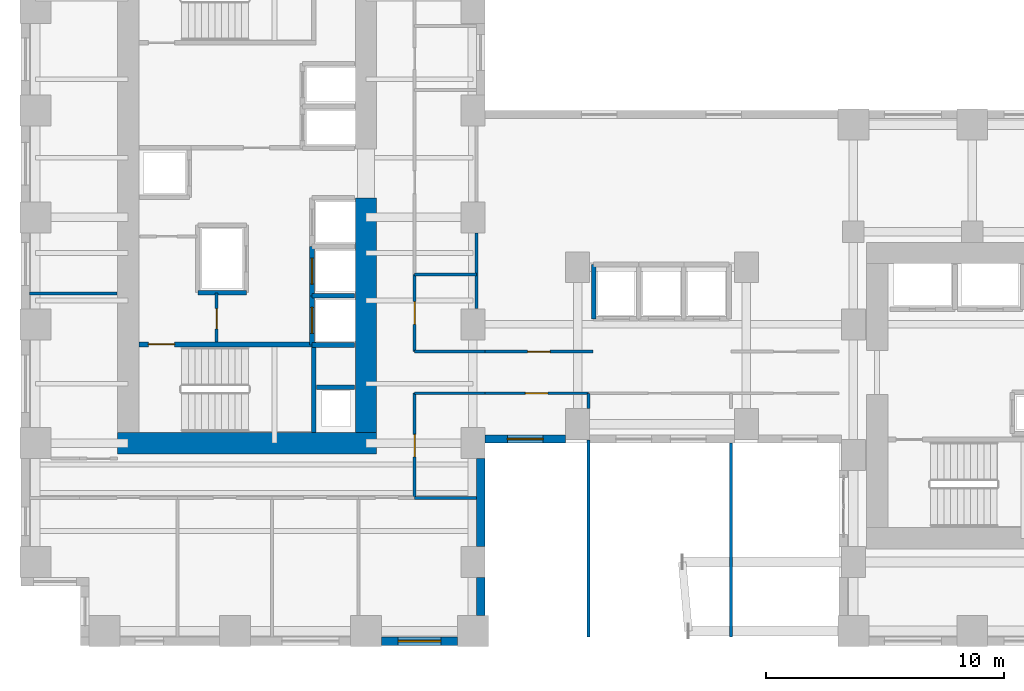
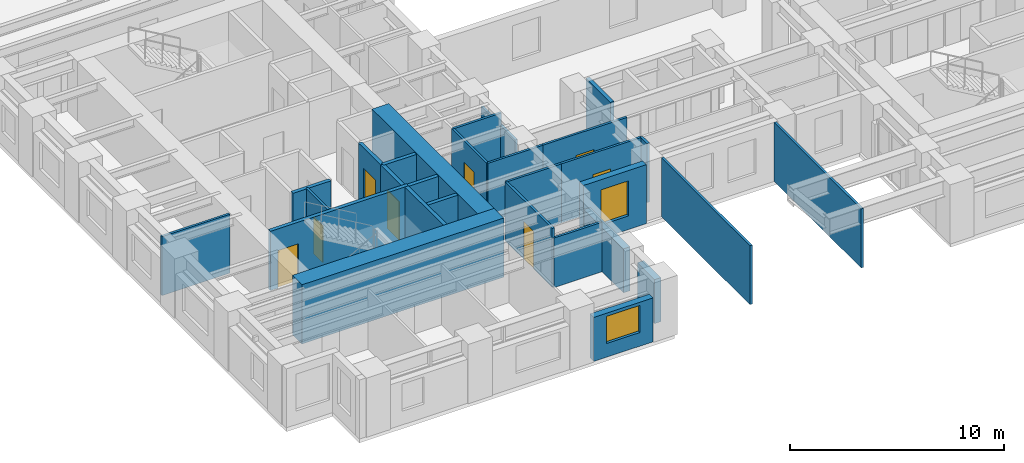
# One storey, part 7 of 14: 29 walls, 8 doors, 2 windows, 10 openings.
"""IFC4 building model written with IfcOpenShell, lengths in metres."""

from ifc_helpers import new_model, si_unit, direction, frame, frame_2d, origin, place, context, subcontext, project, spatial, rectangle, extrude, source, transform, mapped, material, layer, layer_set, type_object, element, fill, save


model = new_model("IFC4")

# Units and contexts
model_context = context("Model", 3, precision=1e-05, world=origin(), true_north=direction((0.0, 1.0)))
body_context = subcontext(model_context, "Body", "Model", "MODEL_VIEW")
ifc_project = project(units=[si_unit("LENGTHUNIT", "METRE"), si_unit("AREAUNIT", "SQUARE_METRE"), si_unit("VOLUMEUNIT", "CUBIC_METRE"), si_unit("PLANEANGLEUNIT", "RADIAN"), si_unit("MASSUNIT", "GRAM", prefix="KILO")], contexts=[model_context])

# Site, building, storey
site_placement = place(None, origin())
site = spatial("IfcSite", under=ifc_project, at=site_placement, CompositionType="ELEMENT")
building_placement = place(site_placement, origin())
building = spatial("IfcBuilding", under=site, at=building_placement, Name="Kharzan Plaza Tower", CompositionType="ELEMENT")
storey_placement = place(building_placement, frame((0.0, 0.0, 29.699951171875)))
storey = spatial("IfcBuildingStorey", under=building, at=storey_placement, Name="L07", CompositionType="ELEMENT", Elevation=29.699951171875)

# Wall, opening, window
ifc_material_1 = material(Name="Concrete C40/50", Category="concrete")
ifc_layer_1 = layer(ifc_material_1, 0.35009765625)
ifc_layer_set_1 = layer_set([ifc_layer_1], Name="Concrete C40/50")
wall_type_1 = type_object("IfcWallType", Name="WL-EXT-MAS-Z1", PredefinedType="SOLIDWALL", material=ifc_layer_set_1)
wall_1_placement = place(storey_placement, frame((15.14794921875, 0.175048828125, 0.0), z_axis=(0.0, 0.0, 1.0), x_axis=(1.0, 0.0, 0.0)))
wall_1 = element("IfcWall", 1, at=wall_1_placement, inside=storey, type_object=wall_type_1, Name="L07 Masonry-Frame Exterior Wall 25", PredefinedType="SOLIDWALL", context=body_context, shape_type="SweptSolid", body=[
    extrude(rectangle(XDim=3.2041015625, YDim=0.35009765625, at=frame_2d((1.60205078125, 0.0))), origin(), (0.0, 0.0, 1.0), 2.510009765625),
])
opening_1_placement = place(wall_1_placement, frame((0.701904296875, 0.0, 0.780029296875)))
opening_1 = element("IfcOpeningElement", 2, at=opening_1_placement, cuts=wall_1, Name="Opening W1", PredefinedType="OPENING", context=body_context, shape_type="SweptSolid", body=[
    extrude(rectangle(XDim=1.800048828125, YDim=1.550048828125, at=frame_2d((0.89990234375, 0.77490234375))), frame((0.0, 0.18505859375, 0.0), z_axis=(0.0, -1.0, 0.0), x_axis=(1.0, 0.0, 0.0)), (0.0, 0.0, 1.0), 0.3701171875),
])
ifc_material_2 = material(Name="Low-E Double Glazing", Category="glass")
window_type_1 = type_object("IfcWindowType", Name="WN-REC-1800x2100", PartitioningType="SINGLE_PANEL", PredefinedType="WINDOW", material=ifc_material_2)
shared_shape_1 = source(origin(), body_context, "Body", "SweptSolid", [
    extrude(rectangle(XDim=1.800048828125, YDim=1.550048828125, at=frame_2d((0.89990234375, 0.77490234375))), frame((0.0, 0.030029296875, 0.0), z_axis=(0.0, -1.0, 0.0), x_axis=(1.0, 0.0, 0.0)), (0.0, 0.0, 1.0), 0.06005859375),
])
window_1_placement = place(opening_1_placement, origin())
window_1 = element("IfcWindow", 3, at=window_1_placement, inside=storey, type_object=window_type_1, Name="L07 Recessed Solar-Control Window 25-1", OverallHeight=1.550048828125, OverallWidth=1.800048828125, PartitioningType="SINGLE_PANEL", PredefinedType="WINDOW", context=body_context, shape_type="MappedRepresentation", body=[
    mapped(shared_shape_1, transform((0.0, 0.0, 0.0), x_axis=(1.0, 0.0, 0.0), y_axis=(0.0, 1.0, 0.0), z_axis=(0.0, 0.0, 1.0))),
])
fill(opening_1, window_1)

wall_2_placement = place(storey_placement, frame((19.498046875, 8.675048828125, 0.0), z_axis=(0.0, 0.0, 1.0), x_axis=(1.0, 0.0, 0.0)))
wall_2 = element("IfcWall", 4, at=wall_2_placement, inside=storey, type_object=wall_type_1, Name="L07 Masonry-Frame Exterior Wall 28", PredefinedType="SOLIDWALL", context=body_context, shape_type="SweptSolid", body=[
    extrude(rectangle(XDim=3.404052734375, YDim=0.35009765625, at=frame_2d((1.7021484375, 0.0))), origin(), (0.0, 0.0, 1.0), 3.364990234375),
])
opening_2_placement = place(wall_2_placement, frame((0.951904296875, 0.0, 0.780029296875)))
opening_2 = element("IfcOpeningElement", 5, at=opening_2_placement, cuts=wall_2, Name="Opening W5", PredefinedType="OPENING", context=body_context, shape_type="SweptSolid", body=[
    extrude(rectangle(XDim=1.5, YDim=2.0, at=frame_2d((0.75, 1.0))), frame((0.0, 0.18505859375, 0.0), z_axis=(0.0, -1.0, 0.0), x_axis=(1.0, 0.0, 0.0)), (0.0, 0.0, 1.0), 0.3701171875),
])
window_type_2 = type_object("IfcWindowType", Name="WN-SLT-1500x2000", PartitioningType="SINGLE_PANEL", PredefinedType="WINDOW", material=ifc_material_2)
shared_shape_2 = source(origin(), body_context, "Body", "SweptSolid", [
    extrude(rectangle(XDim=1.5, YDim=2.0, at=frame_2d((0.75, 1.0))), frame((0.0, 0.030029296875, 0.0), z_axis=(0.0, -1.0, 0.0), x_axis=(1.0, 0.0, 0.0)), (0.0, 0.0, 1.0), 0.06005859375),
])
window_2_placement = place(opening_2_placement, origin())
window_2 = element("IfcWindow", 6, at=window_2_placement, inside=storey, type_object=window_type_2, Name="L07 Recessed Solar-Control Window 28-1", OverallHeight=2.0, OverallWidth=1.5, PartitioningType="SINGLE_PANEL", PredefinedType="WINDOW", context=body_context, shape_type="MappedRepresentation", body=[
    mapped(shared_shape_2, transform((0.0, 0.0, 0.0), x_axis=(1.0, 0.0, 0.0), y_axis=(0.0, 1.0, 0.0), z_axis=(0.0, 0.0, 1.0))),
])
fill(opening_2, window_2)

# Wall, opening, door
ifc_material_3 = material(Name="Fire-Rated Gypsum Board Partition", Category="gypsum")
ifc_layer_2 = layer(ifc_material_3, 0.125)
ifc_layer_set_2 = layer_set([ifc_layer_2], Name="Fire-Rated Gypsum Board Partition")
wall_type_2 = type_object("IfcWallType", Name="WL-INT-PART-125", PredefinedType="PARTITIONING", material=ifc_layer_set_2)
wall_3_placement = place(storey_placement, frame((8.219970703125, 12.75, 0.0), z_axis=(0.0, 0.0, 1.0), x_axis=(0.0, 1.0, 0.0)))
wall_3 = element("IfcWall", 7, at=wall_3_placement, inside=storey, type_object=wall_type_2, Name="L07 Interior Partition CA-K1E", PredefinedType="PARTITIONING", context=body_context, shape_type="SweptSolid", body=[
    extrude(rectangle(XDim=2.070068359375, YDim=0.125, at=frame_2d((1.03515625, 0.0))), origin(), (0.0, 0.0, 1.0), 3.364990234375),
])
opening_3_placement = place(wall_3_placement, frame((0.56005859375, 0.0, 0.0)))
opening_3 = element("IfcOpeningElement", 8, at=opening_3_placement, cuts=wall_3, Name="Opening RD1", PredefinedType="OPENING", context=body_context, shape_type="SweptSolid", body=[
    extrude(rectangle(XDim=0.85009765625, YDim=2.10009765625, at=frame_2d((0.425048828125, 1.050048828125))), frame((0.0, 0.072509765625, 0.0), z_axis=(0.0, -1.0, 0.0), x_axis=(1.0, 0.0, 0.0)), (0.0, 0.0, 1.0), 0.14501953125),
])
ifc_material_4 = material(Name="Powder-Coated Fire-Rated Steel", Category="steel")
door_type_1 = type_object("IfcDoorType", Name="DR-RISER-900", OperationType="NOTDEFINED", PredefinedType="DOOR", material=ifc_material_4)
shared_shape_3 = source(origin(), body_context, "Body", "SweptSolid", [
    extrude(rectangle(XDim=0.85009765625, YDim=2.10009765625, at=frame_2d((0.425048828125, 1.050048828125))), frame((0.0, 0.02490234375, 0.0), z_axis=(0.0, -1.0, 0.0), x_axis=(1.0, 0.0, 0.0)), (0.0, 0.0, 1.0), 0.050048828125),
])
door_1_placement = place(opening_3_placement, origin())
door_1 = element("IfcDoor", 9, at=door_1_placement, inside=storey, type_object=door_type_1, Name="L07 Core Service Store Door", OperationType="SINGLE_SWING_LEFT", OverallHeight=2.10009765625, OverallWidth=0.85009765625, PredefinedType="DOOR", context=body_context, shape_type="MappedRepresentation", body=[
    mapped(shared_shape_3, transform((0.0, 0.0, 0.0), x_axis=(1.0, 0.0, 0.0), y_axis=(0.0, 1.0, 0.0), z_axis=(0.0, 0.0, 1.0))),
])
fill(opening_3, door_1)

wall_4_placement = place(storey_placement, frame((16.550048828125, 12.35009765625, 0.0), z_axis=(0.0, 0.0, 1.0), x_axis=(0.0, 1.0, 0.0)))
wall_4 = element("IfcWall", 10, at=wall_4_placement, inside=storey, type_object=wall_type_2, Name="L07 Interior Partition SH-AEWN1", PredefinedType="PARTITIONING", context=body_context, shape_type="SweptSolid", body=[
    extrude(rectangle(XDim=3.25, YDim=0.125, at=frame_2d((1.625, 0.0))), origin(), (0.0, 0.0, 1.0), 3.364990234375),
])
opening_4_placement = place(wall_4_placement, frame((1.14990234375, 0.0, 0.0)))
opening_4 = element("IfcOpeningElement", 11, at=opening_4_placement, cuts=wall_4, Name="Opening OD1", PredefinedType="OPENING", context=body_context, shape_type="SweptSolid", body=[
    extrude(rectangle(XDim=0.949951171875, YDim=2.14990234375, at=frame_2d((0.47509765625, 1.074951171875))), frame((0.0, 0.072509765625, 0.0), z_axis=(0.0, -1.0, 0.0), x_axis=(1.0, 0.0, 0.0)), (0.0, 0.0, 1.0), 0.14501953125),
])
ifc_material_5 = material(Name="Acoustic Solid-Core Stained Oak", Category="timber")
door_type_2 = type_object("IfcDoorType", Name="DR-OFF-SINGLE", OperationType="NOTDEFINED", PredefinedType="DOOR", material=ifc_material_5)
shared_shape_4 = source(origin(), body_context, "Body", "SweptSolid", [
    extrude(rectangle(XDim=0.949951171875, YDim=2.14990234375, at=frame_2d((0.47509765625, 1.074951171875))), frame((0.0, 0.02490234375, 0.0), z_axis=(0.0, -1.0, 0.0), x_axis=(1.0, 0.0, 0.0)), (0.0, 0.0, 1.0), 0.050048828125),
])
door_2_placement = place(opening_4_placement, origin())
door_2 = element("IfcDoor", 12, at=door_2_placement, inside=storey, type_object=door_type_2, Name="L07 Slot Collaboration Door", OperationType="SINGLE_SWING_LEFT", OverallHeight=2.14990234375, OverallWidth=0.949951171875, PredefinedType="DOOR", context=body_context, shape_type="MappedRepresentation", body=[
    mapped(shared_shape_4, transform((0.0, 0.0, 0.0), x_axis=(1.0, 0.0, 0.0), y_axis=(0.0, 1.0, 0.0), z_axis=(0.0, 0.0, 1.0))),
])
fill(opening_4, door_2)

wall_5_placement = place(storey_placement, frame((16.550048828125, 6.199951171875, 0.0), z_axis=(0.0, 0.0, 1.0), x_axis=(0.0, 1.0, 0.0)))
wall_5 = element("IfcWall", 13, at=wall_5_placement, inside=storey, type_object=wall_type_2, Name="L07 Interior Partition SH-AEWS", PredefinedType="PARTITIONING", context=body_context, shape_type="SweptSolid", body=[
    extrude(rectangle(XDim=4.400146484375, YDim=0.125, at=frame_2d((2.2001953125, 0.0))), origin(), (0.0, 0.0, 1.0), 3.364990234375),
])
opening_5_placement = place(wall_5_placement, frame((1.72509765625, 0.0, 0.0)))
opening_5 = element("IfcOpeningElement", 14, at=opening_5_placement, cuts=wall_5, Name="Opening OD1", PredefinedType="OPENING", context=body_context, shape_type="SweptSolid", body=[
    extrude(rectangle(XDim=0.949951171875, YDim=2.14990234375, at=frame_2d((0.47509765625, 1.074951171875))), frame((0.0, 0.072509765625, 0.0), z_axis=(0.0, -1.0, 0.0), x_axis=(1.0, 0.0, 0.0)), (0.0, 0.0, 1.0), 0.14501953125),
])
door_3_placement = place(opening_5_placement, origin())
door_3 = element("IfcDoor", 15, at=door_3_placement, inside=storey, type_object=door_type_2, Name="L07 Slot South Office Door", OperationType="SINGLE_SWING_RIGHT", OverallHeight=2.14990234375, OverallWidth=0.949951171875, PredefinedType="DOOR", context=body_context, shape_type="MappedRepresentation", body=[
    mapped(shared_shape_4, transform((0.0, 0.0, 0.0), x_axis=(1.0, 0.0, 0.0), y_axis=(0.0, 1.0, 0.0), z_axis=(0.0, 0.0, 1.0))),
])
fill(opening_5, door_3)

wall_6_placement = place(storey_placement, frame((19.5, 12.35009765625, 0.0), z_axis=(0.0, 0.0, 1.0), x_axis=(1.0, 0.0, 0.0)))
wall_6 = element("IfcWall", 16, at=wall_6_placement, inside=storey, type_object=wall_type_2, Name="L07 Interior Partition SH-SPNW1", PredefinedType="PARTITIONING", context=body_context, shape_type="SweptSolid", body=[
    extrude(rectangle(XDim=4.550048828125, YDim=0.125, at=frame_2d((2.27490234375, 0.0))), origin(), (0.0, 0.0, 1.0), 3.364990234375),
])
opening_6_placement = place(wall_6_placement, frame((1.800048828125, 0.0, 0.0)))
opening_6 = element("IfcOpeningElement", 17, at=opening_6_placement, cuts=wall_6, Name="Opening OD1", PredefinedType="OPENING", context=body_context, shape_type="SweptSolid", body=[
    extrude(rectangle(XDim=0.949951171875, YDim=2.14990234375, at=frame_2d((0.47509765625, 1.074951171875))), frame((0.0, 0.072509765625, 0.0), z_axis=(0.0, -1.0, 0.0), x_axis=(1.0, 0.0, 0.0)), (0.0, 0.0, 1.0), 0.14501953125),
])
door_4_placement = place(opening_6_placement, origin())
door_4 = element("IfcDoor", 18, at=door_4_placement, inside=storey, type_object=door_type_2, Name="L07 North-West Spine Door", OperationType="SINGLE_SWING_RIGHT", OverallHeight=2.14990234375, OverallWidth=0.949951171875, PredefinedType="DOOR", context=body_context, shape_type="MappedRepresentation", body=[
    mapped(shared_shape_4, transform((0.0, 0.0, 0.0), x_axis=(1.0, 0.0, 0.0), y_axis=(0.0, 1.0, 0.0), z_axis=(0.0, 0.0, 1.0))),
])
fill(opening_6, door_4)

wall_7_placement = place(storey_placement, frame((19.5, 10.60009765625, 0.0), z_axis=(0.0, 0.0, 1.0), x_axis=(1.0, 0.0, 0.0)))
wall_7 = element("IfcWall", 19, at=wall_7_placement, inside=storey, type_object=wall_type_2, Name="L07 Interior Partition SH-SPS1", PredefinedType="PARTITIONING", context=body_context, shape_type="SweptSolid", body=[
    extrude(rectangle(XDim=4.35009765625, YDim=0.125, at=frame_2d((2.175048828125, 0.0))), origin(), (0.0, 0.0, 1.0), 3.364990234375),
])
opening_7_placement = place(wall_7_placement, frame((1.699951171875, 0.0, 0.0)))
opening_7 = element("IfcOpeningElement", 20, at=opening_7_placement, cuts=wall_7, Name="Opening OD1", PredefinedType="OPENING", context=body_context, shape_type="SweptSolid", body=[
    extrude(rectangle(XDim=0.949951171875, YDim=2.14990234375, at=frame_2d((0.47509765625, 1.074951171875))), frame((0.0, 0.072509765625, 0.0), z_axis=(0.0, -1.0, 0.0), x_axis=(1.0, 0.0, 0.0)), (0.0, 0.0, 1.0), 0.14501953125),
])
door_5_placement = place(opening_7_placement, origin())
door_5 = element("IfcDoor", 21, at=door_5_placement, inside=storey, type_object=door_type_2, Name="L07 Spine Studio 1 Door", OperationType="SINGLE_SWING_LEFT", OverallHeight=2.14990234375, OverallWidth=0.949951171875, PredefinedType="DOOR", context=body_context, shape_type="MappedRepresentation", body=[
    mapped(shared_shape_4, transform((0.0, 0.0, 0.0), x_axis=(1.0, 0.0, 0.0), y_axis=(0.0, 1.0, 0.0), z_axis=(0.0, 0.0, 1.0))),
])
fill(opening_7, door_5)

ifc_layer_3 = layer(ifc_material_1, 0.199951171875)
ifc_layer_set_3 = layer_set([ifc_layer_3], Name="Concrete C40/50")
wall_type_3 = type_object("IfcWallType", Name="WL-INT-SHAFT-200", PredefinedType="PARTITIONING", material=ifc_layer_set_3)
wall_8_placement = place(storey_placement, frame((12.22998046875, 12.6298828125, 0.0), z_axis=(0.0, 0.0, 1.0), x_axis=(0.0, 1.0, 0.0)))
wall_8 = element("IfcWall", 22, at=wall_8_placement, inside=storey, type_object=wall_type_3, Name="L07 Interior Partition SHF-PL-H1-W", PredefinedType="PARTITIONING", context=body_context, shape_type="SweptSolid", body=[
    extrude(rectangle(XDim=2.070068359375, YDim=0.199951171875, at=frame_2d((1.03515625, 0.0))), origin(), (0.0, 0.0, 1.0), 3.364990234375),
])
opening_8_placement = place(wall_8_placement, frame((0.485107421875, 0.0, 0.0)))
opening_8 = element("IfcOpeningElement", 23, at=opening_8_placement, cuts=wall_8, Name="Opening LD", PredefinedType="OPENING", context=body_context, shape_type="SweptSolid", body=[
    extrude(rectangle(XDim=1.10009765625, YDim=2.199951171875, at=frame_2d((0.550048828125, 1.10009765625))), frame((0.0, 0.10986328125, 0.0), z_axis=(0.0, -1.0, 0.0), x_axis=(1.0, 0.0, 0.0)), (0.0, 0.0, 1.0), 0.219970703125),
])
ifc_material_6 = material(Name="Brushed Stainless Steel", Category="steel")
door_type_3 = type_object("IfcDoorType", Name="DR-LIFT-SLIDE", OperationType="SLIDING_TO_LEFT", PredefinedType="DOOR", material=ifc_material_6)
shared_shape_5 = source(origin(), body_context, "Body", "SweptSolid", [
    extrude(rectangle(XDim=1.10009765625, YDim=2.199951171875, at=frame_2d((0.550048828125, 1.10009765625))), frame((0.0, 0.02490234375, 0.0), z_axis=(0.0, -1.0, 0.0), x_axis=(1.0, 0.0, 0.0)), (0.0, 0.0, 1.0), 0.050048828125),
])
door_6_placement = place(opening_8_placement, origin())
door_6 = element("IfcDoor", 24, at=door_6_placement, inside=storey, type_object=door_type_3, Name="L07 High-Rise Passenger Lift PL-H1 Sliding Landing Door", OperationType="SLIDING_TO_LEFT", OverallHeight=2.199951171875, OverallWidth=1.10009765625, PredefinedType="DOOR", context=body_context, shape_type="MappedRepresentation", body=[
    mapped(shared_shape_5, transform((0.0, 0.0, 0.0), x_axis=(1.0, 0.0, 0.0), y_axis=(0.0, 1.0, 0.0), z_axis=(0.0, 0.0, 1.0))),
])
fill(opening_8, door_6)

wall_9_placement = place(storey_placement, frame((12.22998046875, 14.699951171875, 0.0), z_axis=(0.0, 0.0, 1.0), x_axis=(0.0, 1.0, 0.0)))
wall_9 = element("IfcWall", 25, at=wall_9_placement, inside=storey, type_object=wall_type_3, Name="L07 Interior Partition SHF-PL-H2-W", PredefinedType="PARTITIONING", context=body_context, shape_type="SweptSolid", body=[
    extrude(rectangle(XDim=2.070068359375, YDim=0.199951171875, at=frame_2d((1.03515625, 0.0))), origin(), (0.0, 0.0, 1.0), 3.364990234375),
])
opening_9_placement = place(wall_9_placement, frame((0.485107421875, 0.0, 0.0)))
opening_9 = element("IfcOpeningElement", 26, at=opening_9_placement, cuts=wall_9, Name="Opening LD", PredefinedType="OPENING", context=body_context, shape_type="SweptSolid", body=[
    extrude(rectangle(XDim=1.10009765625, YDim=2.199951171875, at=frame_2d((0.550048828125, 1.10009765625))), frame((0.0, 0.10986328125, 0.0), z_axis=(0.0, -1.0, 0.0), x_axis=(1.0, 0.0, 0.0)), (0.0, 0.0, 1.0), 0.219970703125),
])
door_7_placement = place(opening_9_placement, origin())
door_7 = element("IfcDoor", 27, at=door_7_placement, inside=storey, type_object=door_type_3, Name="L07 High-Rise Passenger Lift PL-H2 Sliding Landing Door", OperationType="SLIDING_TO_LEFT", OverallHeight=2.199951171875, OverallWidth=1.10009765625, PredefinedType="DOOR", context=body_context, shape_type="MappedRepresentation", body=[
    mapped(shared_shape_5, transform((0.0, 0.0, 0.0), x_axis=(1.0, 0.0, 0.0), y_axis=(0.0, 1.0, 0.0), z_axis=(0.0, 0.0, 1.0))),
])
fill(opening_9, door_7)

ifc_material_7 = material(Name="Concrete C50/60", Category="concrete")
ifc_layer_4 = layer(ifc_material_7, 0.199951171875)
ifc_layer_set_4 = layer_set([ifc_layer_4], Name="Concrete C50/60")
wall_type_4 = type_object("IfcWallType", Name="WL-SHAFT-RC200", PredefinedType="SHEAR", material=ifc_layer_set_4)
wall_10_placement = place(storey_placement, frame((4.951904296875, 12.655029296875, 0.0), z_axis=(0.0, 0.0, 1.0), x_axis=(1.0, 0.0, 0.0)))
wall_10 = element("IfcWall", 28, at=wall_10_placement, inside=storey, type_object=wall_type_4, Name="L07 Stair ST-1 North RC Shaft Wall", PredefinedType="SHEAR", context=body_context, shape_type="SweptSolid", body=[
    extrude(rectangle(XDim=7.453125, YDim=0.199951171875, at=frame_2d((3.7265625, 0.0))), origin(), (0.0, 0.0, 1.0), 3.380126953125),
])
opening_10_placement = place(wall_10_placement, frame((0.39990234375, 0.0, 0.0)))
opening_10 = element("IfcOpeningElement", 29, at=opening_10_placement, cuts=wall_10, Name="Opening SD1", PredefinedType="OPENING", context=body_context, shape_type="SweptSolid", body=[
    extrude(rectangle(XDim=1.10009765625, YDim=2.14990234375, at=frame_2d((0.550048828125, 1.074951171875))), frame((0.0, 0.10986328125, 0.0), z_axis=(0.0, -1.0, 0.0), x_axis=(1.0, 0.0, 0.0)), (0.0, 0.0, 1.0), 0.219970703125),
])
ifc_material_8 = material(Name="Fire-Rated Hollow Galvanized Steel", Category="steel")
door_type_4 = type_object("IfcDoorType", Name="DR-STAIR-FD120", OperationType="NOTDEFINED", PredefinedType="DOOR", material=ifc_material_8)
shared_shape_6 = source(origin(), body_context, "Body", "SweptSolid", [
    extrude(rectangle(XDim=1.10009765625, YDim=2.14990234375, at=frame_2d((0.550048828125, 1.074951171875))), frame((0.0, 0.02490234375, 0.0), z_axis=(0.0, -1.0, 0.0), x_axis=(1.0, 0.0, 0.0)), (0.0, 0.0, 1.0), 0.050048828125),
])
door_8_placement = place(opening_10_placement, origin())
door_8 = element("IfcDoor", 30, at=door_8_placement, inside=storey, type_object=door_type_4, Name="L07 Stair ST-1 Fire Exit Door", OperationType="SINGLE_SWING_LEFT", OverallHeight=2.14990234375, OverallWidth=1.10009765625, PredefinedType="DOOR", context=body_context, shape_type="MappedRepresentation", body=[
    mapped(shared_shape_6, transform((0.0, 0.0, 0.0), x_axis=(1.0, 0.0, 0.0), y_axis=(0.0, 1.0, 0.0), z_axis=(0.0, 0.0, 1.0))),
])
fill(opening_10, door_8)

# Walls
shared_shape_7 = source(origin(), body_context, "Body", "SweptSolid", [
    extrude(rectangle(XDim=1.60400390625, YDim=0.35009765625, at=frame_2d((0.802001953125, 0.0))), origin(), (0.0, 0.0, 1.0), 2.510009765625),
])
wall_11_placement = place(storey_placement, frame((19.324951171875, 1.248046875, 0.0), z_axis=(0.0, 0.0, 1.0), x_axis=(0.0, 1.0, 0.0)))
element("IfcWall", 31, at=wall_11_placement, inside=storey, type_object=wall_type_1, Name="L07 Masonry-Frame Exterior Wall 26", PredefinedType="SOLIDWALL", context=body_context, shape_type="MappedRepresentation", body=[
    mapped(shared_shape_7, transform((0.0, 0.0, 0.0), x_axis=(1.0, 0.0, 0.0), y_axis=(0.0, 1.0, 0.0), z_axis=(0.0, 0.0, 1.0))),
])
shared_shape_8 = source(origin(), body_context, "Body", "SweptSolid", [
    extrude(rectangle(XDim=3.7041015625, YDim=0.35009765625, at=frame_2d((1.85205078125, 0.0))), origin(), (0.0, 0.0, 1.0), 2.510009765625),
])
wall_12_placement = place(storey_placement, frame((19.324951171875, 4.14794921875, 0.0), z_axis=(0.0, 0.0, 1.0), x_axis=(0.0, 1.0, 0.0)))
element("IfcWall", 32, at=wall_12_placement, inside=storey, type_object=wall_type_1, Name="L07 Masonry-Frame Exterior Wall 27", PredefinedType="SOLIDWALL", context=body_context, shape_type="MappedRepresentation", body=[
    mapped(shared_shape_8, transform((0.0, 0.0, 0.0), x_axis=(1.0, 0.0, 0.0), y_axis=(0.0, 1.0, 0.0), z_axis=(0.0, 0.0, 1.0))),
])
shared_shape_9 = source(origin(), body_context, "Body", "SweptSolid", [
    extrude(rectangle(XDim=2.949951171875, YDim=0.125, at=frame_2d((1.47509765625, 0.0))), origin(), (0.0, 0.0, 1.0), 3.364990234375),
])
for number, where, z_axis, x_axis, name in (
    (33, (16.550048828125, 12.35009765625, 0.0), (0.0, 0.0, 1.0), (1.0, 0.0, 0.0), "L07 Interior Partition SH-SPNW0"),
    (34, (16.550048828125, 10.60009765625, 0.0), (0.0, 0.0, 1.0), (1.0, 0.0, 0.0), "L07 Interior Partition SH-SPS0"),
):
    element("IfcWall", number, at=place(storey_placement, frame(where, z_axis=z_axis, x_axis=x_axis)), inside=storey, type_object=wall_type_2, Name=name, PredefinedType="PARTITIONING", context=body_context, shape_type="MappedRepresentation", body=[
        mapped(shared_shape_9, transform((0.0, 0.0, 0.0), x_axis=(1.0, 0.0, 0.0), y_axis=(0.0, 1.0, 0.0), z_axis=(0.0, 0.0, 1.0))),
    ])
shared_shape_10 = source(origin(), body_context, "Body", "SweptSolid", [
    extrude(rectangle(XDim=1.60009765625, YDim=0.199951171875, at=frame_2d((0.800048828125, 0.0))), origin(), (0.0, 0.0, 1.0), 3.364990234375),
])
wall_13_placement = place(storey_placement, frame((12.419921875, 10.85009765625, 0.0), z_axis=(0.0, 0.0, 1.0), x_axis=(1.0, 0.0, 0.0)))
element("IfcWall", 35, at=wall_13_placement, inside=storey, type_object=wall_type_3, Name="L07 Interior Partition CA-RSRA-N", PredefinedType="PARTITIONING", context=body_context, shape_type="MappedRepresentation", body=[
    mapped(shared_shape_10, transform((0.0, 0.0, 0.0), x_axis=(1.0, 0.0, 0.0), y_axis=(0.0, 1.0, 0.0), z_axis=(0.0, 0.0, 1.0))),
])
shared_shape_11 = source(origin(), body_context, "Body", "SweptSolid", [
    extrude(rectangle(XDim=1.7900390625, YDim=0.199951171875, at=frame_2d((0.89501953125, 0.0))), origin(), (0.0, 0.0, 1.0), 3.364990234375),
])
for number, where, z_axis, x_axis, name in (
    (36, (12.22998046875, 14.699951171875, 0.0), (0.0, 0.0, 1.0), (1.0, 0.0, 0.0), "L07 Interior Partition SHF-PL-H1-N"),
    (37, (12.22998046875, 12.6298828125, 0.0), (0.0, 0.0, 1.0), (1.0, 0.0, 0.0), "L07 Interior Partition SHF-PL-H1-S"),
):
    element("IfcWall", number, at=place(storey_placement, frame(where, z_axis=z_axis, x_axis=x_axis)), inside=storey, type_object=wall_type_3, Name=name, PredefinedType="PARTITIONING", context=body_context, shape_type="MappedRepresentation", body=[
        mapped(shared_shape_11, transform((0.0, 0.0, 0.0), x_axis=(1.0, 0.0, 0.0), y_axis=(0.0, 1.0, 0.0), z_axis=(0.0, 0.0, 1.0))),
    ])
shared_shape_12 = source(origin(), body_context, "Body", "SweptSolid", [
    extrude(rectangle(XDim=2.2900390625, YDim=0.199951171875, at=frame_2d((1.14501953125, 0.0))), origin(), (0.0, 0.0, 1.0), 3.364990234375),
])
wall_14_placement = place(storey_placement, frame((24.080078125, 13.72998046875, 0.0), z_axis=(0.0, 0.0, 1.0), x_axis=(0.0, 1.0, 0.0)))
element("IfcWall", 38, at=wall_14_placement, inside=storey, type_object=wall_type_3, Name="L07 Interior Partition SHF-PL-M1-W", PredefinedType="PARTITIONING", context=body_context, shape_type="MappedRepresentation", body=[
    mapped(shared_shape_12, transform((0.0, 0.0, 0.0), x_axis=(1.0, 0.0, 0.0), y_axis=(0.0, 1.0, 0.0), z_axis=(0.0, 0.0, 1.0))),
])
shared_shape_13 = source(origin(), body_context, "Body", "SweptSolid", [
    extrude(rectangle(XDim=2.0400390625, YDim=0.199951171875, at=frame_2d((1.02001953125, 0.0))), origin(), (0.0, 0.0, 1.0), 3.364990234375),
])
wall_15_placement = place(storey_placement, frame((7.429931640625, 14.830078125, 0.0), z_axis=(0.0, 0.0, 1.0), x_axis=(1.0, 0.0, 0.0)))
element("IfcWall", 39, at=wall_15_placement, inside=storey, type_object=wall_type_3, Name="L07 Interior Partition SHF-SVL-1-S", PredefinedType="PARTITIONING", context=body_context, shape_type="MappedRepresentation", body=[
    mapped(shared_shape_13, transform((0.0, 0.0, 0.0), x_axis=(1.0, 0.0, 0.0), y_axis=(0.0, 1.0, 0.0), z_axis=(0.0, 0.0, 1.0))),
])
shared_shape_14 = source(origin(), body_context, "Body", "SweptSolid", [
    extrude(rectangle(XDim=8.14794921875, YDim=0.125, at=frame_2d((4.073974609375, 0.0))), origin(), (0.0, 0.0, 1.0), 3.364990234375),
])
wall_16_placement = place(storey_placement, frame((29.85009765625, 0.35009765625, 0.0), z_axis=(0.0, 0.0, 1.0), x_axis=(0.0, 1.0, 0.0)))
element("IfcWall", 40, at=wall_16_placement, inside=storey, type_object=wall_type_2, Name="L07 Interior Partition SH-SPSV2-S1", PredefinedType="PARTITIONING", context=body_context, shape_type="MappedRepresentation", body=[
    mapped(shared_shape_14, transform((0.0, 0.0, 0.0), x_axis=(1.0, 0.0, 0.0), y_axis=(0.0, 1.0, 0.0), z_axis=(0.0, 0.0, 1.0))),
])
ifc_material_9 = material(Name="Concrete C60/75", Category="concrete")
ifc_layer_5 = layer(ifc_material_9, 0.89990234375)
ifc_layer_set_5 = layer_set([ifc_layer_5], Name="Concrete C60/75")
wall_type_5 = type_object("IfcWallType", Name="WL-CORE-900", PredefinedType="SHEAR", material=ifc_layer_set_5)
shared_shape_15 = source(origin(), body_context, "Body", "SweptSolid", [
    extrude(rectangle(XDim=9.8701171875, YDim=0.89990234375, at=frame_2d((4.93505859375, 0.0))), origin(), (0.0, 0.0, 1.0), 3.380126953125),
])
wall_17_placement = place(storey_placement, frame((14.5, 8.949951171875, 0.0), z_axis=(0.0, 0.0, 1.0), x_axis=(0.0, 1.0, 0.0)))
element("IfcWall", 41, at=wall_17_placement, inside=storey, type_object=wall_type_5, Name="L07 CORE-A east shear pier 1", PredefinedType="SHEAR", context=body_context, shape_type="MappedRepresentation", body=[
    mapped(shared_shape_15, transform((0.0, 0.0, 0.0), x_axis=(1.0, 0.0, 0.0), y_axis=(0.0, 1.0, 0.0), z_axis=(0.0, 0.0, 1.0))),
])
shared_shape_16 = source(origin(), body_context, "Body", "SweptSolid", [
    extrude(rectangle(XDim=10.89990234375, YDim=0.89990234375, at=frame_2d((5.449951171875, 0.0))), origin(), (0.0, 0.0, 1.0), 3.380126953125),
])
wall_18_placement = place(storey_placement, frame((4.050048828125, 8.5, 0.0), z_axis=(0.0, 0.0, 1.0), x_axis=(1.0, 0.0, 0.0)))
element("IfcWall", 42, at=wall_18_placement, inside=storey, type_object=wall_type_5, Name="L07 CORE-A south RC shear wall", PredefinedType="SHEAR", context=body_context, shape_type="MappedRepresentation", body=[
    mapped(shared_shape_16, transform((0.0, 0.0, 0.0), x_axis=(1.0, 0.0, 0.0), y_axis=(0.0, 1.0, 0.0), z_axis=(0.0, 0.0, 1.0))),
])
shared_shape_17 = source(origin(), body_context, "Body", "SweptSolid", [
    extrude(rectangle(XDim=2.599853515625, YDim=0.125, at=frame_2d((1.2998046875, 0.0))), origin(), (0.0, 0.0, 1.0), 3.364990234375),
])
wall_19_placement = place(storey_placement, frame((16.550048828125, 15.60009765625, 0.0), z_axis=(0.0, 0.0, 1.0), x_axis=(1.0, 0.0, 0.0)))
element("IfcWall", 43, at=wall_19_placement, inside=storey, type_object=wall_type_2, Name="L07 Interior Partition SH-AEH-156", PredefinedType="PARTITIONING", context=body_context, shape_type="MappedRepresentation", body=[
    mapped(shared_shape_17, transform((0.0, 0.0, 0.0), x_axis=(1.0, 0.0, 0.0), y_axis=(0.0, 1.0, 0.0), z_axis=(0.0, 0.0, 1.0))),
])
shared_shape_18 = source(origin(), body_context, "Body", "SweptSolid", [
    extrude(rectangle(XDim=3.18017578125, YDim=0.125, at=frame_2d((1.590087890625, 0.0))), origin(), (0.0, 0.0, 1.0), 2.670166015625),
])
wall_20_placement = place(storey_placement, frame((19.14990234375, 14.159912109375, 0.0), z_axis=(0.0, 0.0, 1.0), x_axis=(0.0, 1.0, 0.0)))
element("IfcWall", 44, at=wall_20_placement, inside=storey, type_object=wall_type_2, Name="L07 Interior Partition SH-AEN-DIV-S1", PredefinedType="PARTITIONING", context=body_context, shape_type="MappedRepresentation", body=[
    mapped(shared_shape_18, transform((0.0, 0.0, 0.0), x_axis=(1.0, 0.0, 0.0), y_axis=(0.0, 1.0, 0.0), z_axis=(0.0, 0.0, 1.0))),
])
shared_shape_19 = source(origin(), body_context, "Body", "SweptSolid", [
    extrude(rectangle(XDim=2.597900390625, YDim=0.125, at=frame_2d((1.298828125, 0.0))), origin(), (0.0, 0.0, 1.0), 2.828125),
])
wall_21_placement = place(storey_placement, frame((16.550048828125, 6.199951171875, 0.0), z_axis=(0.0, 0.0, 1.0), x_axis=(1.0, 0.0, 0.0)))
element("IfcWall", 45, at=wall_21_placement, inside=storey, type_object=wall_type_2, Name="L07 Interior Partition SH-SSE-4", PredefinedType="PARTITIONING", context=body_context, shape_type="MappedRepresentation", body=[
    mapped(shared_shape_19, transform((0.0, 0.0, 0.0), x_axis=(1.0, 0.0, 0.0), y_axis=(0.0, 1.0, 0.0), z_axis=(0.0, 0.0, 1.0))),
])
shared_shape_20 = source(origin(), body_context, "Body", "SweptSolid", [
    extrude(rectangle(XDim=8.289794921875, YDim=0.125, at=frame_2d((4.14501953125, 0.0))), origin(), (0.0, 0.0, 1.0), 3.364990234375),
])
wall_22_placement = place(storey_placement, frame((23.85009765625, 0.35009765625, 0.0), z_axis=(0.0, 0.0, 1.0), x_axis=(0.0, 1.0, 0.0)))
element("IfcWall", 46, at=wall_22_placement, inside=storey, type_object=wall_type_2, Name="L07 Interior Partition SH-SPSV1-S1", PredefinedType="PARTITIONING", context=body_context, shape_type="MappedRepresentation", body=[
    mapped(shared_shape_20, transform((0.0, 0.0, 0.0), x_axis=(1.0, 0.0, 0.0), y_axis=(0.0, 1.0, 0.0), z_axis=(0.0, 0.0, 1.0))),
])
shared_shape_21 = source(origin(), body_context, "Body", "SweptSolid", [
    extrude(rectangle(XDim=0.64013671875, YDim=0.125, at=frame_2d((0.320068359375, 0.0))), origin(), (0.0, 0.0, 1.0), 3.364990234375),
])
wall_23_placement = place(storey_placement, frame((23.85009765625, 9.9599609375, 0.0), z_axis=(0.0, 0.0, 1.0), x_axis=(0.0, 1.0, 0.0)))
element("IfcWall", 47, at=wall_23_placement, inside=storey, type_object=wall_type_2, Name="L07 Interior Partition SH-SPSV1-S2", PredefinedType="PARTITIONING", context=body_context, shape_type="MappedRepresentation", body=[
    mapped(shared_shape_21, transform((0.0, 0.0, 0.0), x_axis=(1.0, 0.0, 0.0), y_axis=(0.0, 1.0, 0.0), z_axis=(0.0, 0.0, 1.0))),
])
shared_shape_22 = source(origin(), body_context, "Body", "SweptSolid", [
    extrude(rectangle(XDim=3.66796875, YDim=0.125, at=frame_2d((1.833984375, 0.0))), origin(), (0.0, 0.0, 1.0), 3.364990234375),
])
wall_24_placement = place(storey_placement, frame((0.35205078125, 14.800048828125, 0.0), z_axis=(0.0, 0.0, 1.0), x_axis=(1.0, 0.0, 0.0)))
element("IfcWall", 48, at=wall_24_placement, inside=storey, type_object=wall_type_2, Name="L07 Interior Partition SH-WMID", PredefinedType="PARTITIONING", context=body_context, shape_type="MappedRepresentation", body=[
    mapped(shared_shape_22, transform((0.0, 0.0, 0.0), x_axis=(1.0, 0.0, 0.0), y_axis=(0.0, 1.0, 0.0), z_axis=(0.0, 0.0, 1.0))),
])
shared_shape_23 = source(origin(), body_context, "Body", "SweptSolid", [
    extrude(rectangle(XDim=3.60302734375, YDim=0.199951171875, at=frame_2d((1.801513671875, 0.0))), origin(), (0.0, 0.0, 1.0), 3.380126953125),
])
wall_25_placement = place(storey_placement, frame((12.304931640625, 8.951904296875, 0.0), z_axis=(0.0, 0.0, 1.0), x_axis=(0.0, 1.0, 0.0)))
element("IfcWall", 49, at=wall_25_placement, inside=storey, type_object=wall_type_4, Name="L07 Stair ST-1 East RC Shaft Wall", PredefinedType="SHEAR", context=body_context, shape_type="MappedRepresentation", body=[
    mapped(shared_shape_23, transform((0.0, 0.0, 0.0), x_axis=(1.0, 0.0, 0.0), y_axis=(0.0, 1.0, 0.0), z_axis=(0.0, 0.0, 1.0))),
])

save(model, "model.ifc")
